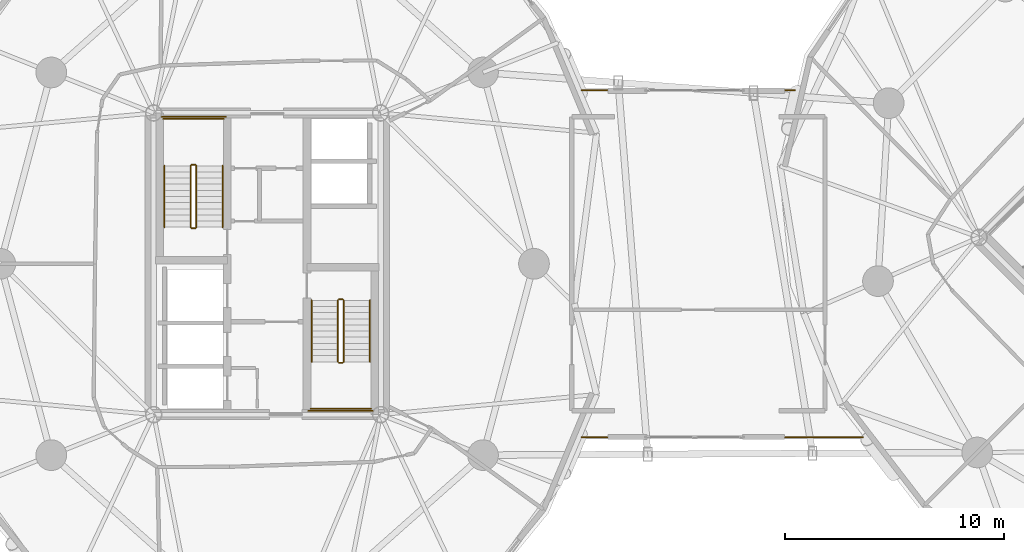
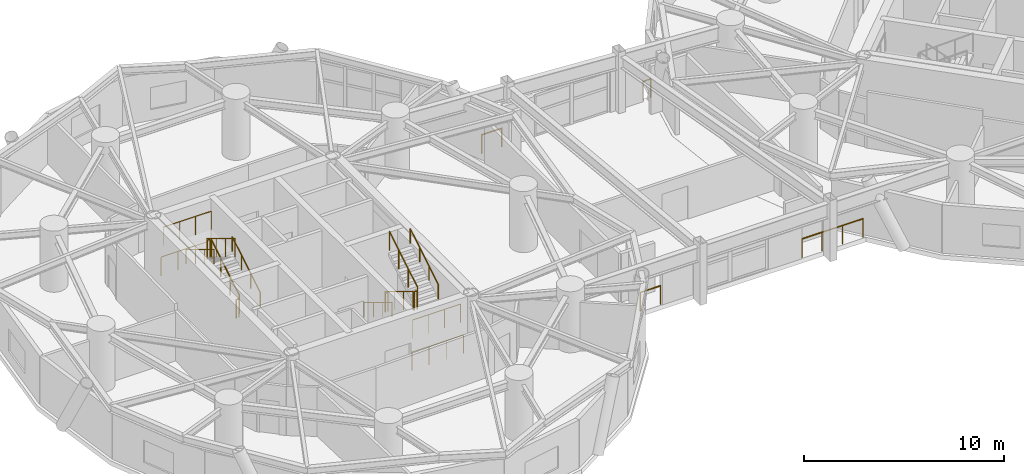
# One storey, part 18 of 19: 20 railings.
"""IFC4 building model written with IfcOpenShell, lengths in metres."""

from ifc_helpers import new_model, si_unit, direction, frame, origin, origin_2d, place, context, subcontext, project, spatial, circle, extrude, material, type_object, element, save


model = new_model("IFC4")

# Units and contexts
model_context = context("Model", 3, precision=1e-05, world=origin(), true_north=direction((0.0, 1.0)))
body_context = subcontext(model_context, "Body", "Model", "MODEL_VIEW")
ifc_project = project(units=[si_unit("LENGTHUNIT", "METRE"), si_unit("AREAUNIT", "SQUARE_METRE"), si_unit("VOLUMEUNIT", "CUBIC_METRE"), si_unit("PLANEANGLEUNIT", "RADIAN"), si_unit("MASSUNIT", "GRAM", prefix="KILO")], contexts=[model_context])

# Site, building, storey
site_placement = place(None, origin())
site = spatial("IfcSite", under=ifc_project, at=site_placement, CompositionType="ELEMENT")
building_placement = place(site_placement, origin())
building = spatial("IfcBuilding", under=site, at=building_placement, Name="Cununo Teusaquillo Station Towers", CompositionType="ELEMENT")
storey_placement = place(building_placement, frame((0.0, 0.0, 132.8798828125)))
storey = spatial("IfcBuildingStorey", under=building, at=storey_placement, Name="L42", CompositionType="ELEMENT", Elevation=132.8798828125)

# Railings
ifc_material_1 = material(Name="Steel EN 10025-2 S355J2", Category="steel")
railing_type_1 = type_object("IfcRailingType", Name="RL-INT-GUARD", PredefinedType="GUARDRAIL", material=ifc_material_1)
railing_1_placement = place(storey_placement, frame((13.27001953125, 26.169921875, 0.169189453125)))
element("IfcRailing", 1, at=railing_1_placement, inside=storey, type_object=railing_type_1, Name="L42 ST-T1-1 stair guard 1", PredefinedType="GUARDRAIL", context=body_context, shape_type="SweptSolid", body=[
    extrude(circle(Radius=0.02392578125, at=origin_2d()), frame((0.0, 0.0, 1.1259765625), z_axis=(0.0, 0.856020824003, 0.516941339877), x_axis=(-1.0, 0.0, 0.0)), (0.0, 0.0, 1.0), 3.27099609375),
    extrude(circle(Radius=0.02099609375, at=origin_2d()), origin(), (0.0, 0.0, 1.0), 1.101806640625),
    extrude(circle(Radius=0.02099609375, at=origin_2d()), frame((0.0, 0.933349609375, 0.563720703125)), (0.0, 0.0, 1.0), 1.101806640625),
    extrude(circle(Radius=0.02099609375, at=origin_2d()), frame((0.0, 1.86669921875, 1.127197265625)), (0.0, 0.0, 1.0), 1.101806640625),
    extrude(circle(Radius=0.02099609375, at=origin_2d()), frame((0.0, 2.800048828125, 1.69091796875)), (0.0, 0.0, 1.0), 1.101806640625),
])
railing_2_placement = place(storey_placement, frame((13.219970703125, 29.02001953125, 1.860107421875)))
element("IfcRailing", 2, at=railing_2_placement, inside=storey, type_object=railing_type_1, Name="L42 ST-T1-1 stair guard 2", PredefinedType="GUARDRAIL", context=body_context, shape_type="SweptSolid", body=[
    extrude(circle(Radius=0.02392578125, at=origin_2d()), frame((0.0, 0.0, 1.1259765625), z_axis=(-1.0, 0.0, 0.0), x_axis=(0.0, -1.0, 0.0)), (0.0, 0.0, 1.0), 0.159912109375),
    extrude(circle(Radius=0.02099609375, at=origin_2d()), origin(), (0.0, 0.0, 1.0), 1.101806640625),
    extrude(circle(Radius=0.02099609375, at=origin_2d()), frame((-0.159912109375, 0.0, 0.0)), (0.0, 0.0, 1.0), 1.101806640625),
])
railing_3_placement = place(storey_placement, frame((14.52001953125, 31.110107421875, 1.860107421875)))
element("IfcRailing", 3, at=railing_3_placement, inside=storey, type_object=railing_type_1, Name="L42 ST-T1-1 stair guard 3", PredefinedType="GUARDRAIL", context=body_context, shape_type="SweptSolid", body=[
    extrude(circle(Radius=0.02392578125, at=origin_2d()), frame((0.0, 0.0, 1.1259765625), z_axis=(-1.0, 0.0, 0.0), x_axis=(0.0, -1.0, 0.0)), (0.0, 0.0, 1.0), 2.760009765625),
    extrude(circle(Radius=0.02099609375, at=origin_2d()), origin(), (0.0, 0.0, 1.0), 1.101806640625),
    extrude(circle(Radius=0.02099609375, at=origin_2d()), frame((-0.919921875, 0.0, 0.0)), (0.0, 0.0, 1.0), 1.101806640625),
    extrude(circle(Radius=0.02099609375, at=origin_2d()), frame((-1.840087890625, 0.0, 0.0)), (0.0, 0.0, 1.0), 1.101806640625),
    extrude(circle(Radius=0.02099609375, at=origin_2d()), frame((-2.760009765625, 0.0, 0.0)), (0.0, 0.0, 1.0), 1.101806640625),
])
railing_4_placement = place(storey_placement, frame((13.010009765625, 28.969970703125, 2.029296875)))
element("IfcRailing", 4, at=railing_4_placement, inside=storey, type_object=railing_type_1, Name="L42 ST-T1-1 stair guard 4", PredefinedType="GUARDRAIL", context=body_context, shape_type="SweptSolid", body=[
    extrude(circle(Radius=0.02392578125, at=origin_2d()), frame((0.0, 0.0, 1.1259765625), z_axis=(0.0, -0.856020824003, 0.516941339877), x_axis=(1.0, 0.0, 0.0)), (0.0, 0.0, 1.0), 3.27099609375),
    extrude(circle(Radius=0.02099609375, at=origin_2d()), origin(), (0.0, 0.0, 1.0), 1.101806640625),
    extrude(circle(Radius=0.02099609375, at=origin_2d()), frame((0.0, -0.933349609375, 0.563720703125)), (0.0, 0.0, 1.0), 1.101806640625),
    extrude(circle(Radius=0.02099609375, at=origin_2d()), frame((0.0, -1.86669921875, 1.127197265625)), (0.0, 0.0, 1.0), 1.101806640625),
    extrude(circle(Radius=0.02099609375, at=origin_2d()), frame((0.0, -2.800048828125, 1.69091796875)), (0.0, 0.0, 1.0), 1.101806640625),
])
railing_5_placement = place(storey_placement, frame((13.219970703125, 26.1201171875, 0.0)))
element("IfcRailing", 5, at=railing_5_placement, inside=storey, type_object=railing_type_1, Name="L42 ST-T1-1 stair guard 5", PredefinedType="GUARDRAIL", context=body_context, shape_type="SweptSolid", body=[
    extrude(circle(Radius=0.02392578125, at=origin_2d()), frame((0.0, 0.0, 1.1259765625), z_axis=(-1.0, 0.0, 0.0), x_axis=(0.0, -1.0, 0.0)), (0.0, 0.0, 1.0), 0.159912109375),
    extrude(circle(Radius=0.02099609375, at=origin_2d()), origin(), (0.0, 0.0, 1.0), 1.101806640625),
    extrude(circle(Radius=0.02099609375, at=origin_2d()), frame((-0.159912109375, 0.0, 0.0)), (0.0, 0.0, 1.0), 1.101806640625),
])
railing_6_placement = place(storey_placement, frame((14.6201171875, 31.2099609375, 0.0)))
element("IfcRailing", 6, at=railing_6_placement, inside=storey, type_object=railing_type_1, Name="L42 ST-T1-1 stair guard 6", PredefinedType="GUARDRAIL", context=body_context, shape_type="SweptSolid", body=[
    extrude(circle(Radius=0.02392578125, at=origin_2d()), frame((0.0, 0.0, 1.1259765625), z_axis=(-1.0, 0.0, 0.0), x_axis=(0.0, -1.0, 0.0)), (0.0, 0.0, 1.0), 2.960205078125),
    extrude(circle(Radius=0.02099609375, at=origin_2d()), origin(), (0.0, 0.0, 1.0), 1.101806640625),
    extrude(circle(Radius=0.02099609375, at=origin_2d()), frame((-0.98681640625, 0.0, 0.0)), (0.0, 0.0, 1.0), 1.101806640625),
    extrude(circle(Radius=0.02099609375, at=origin_2d()), frame((-1.973388671875, 0.0, 0.0)), (0.0, 0.0, 1.0), 1.101806640625),
    extrude(circle(Radius=0.02099609375, at=origin_2d()), frame((-2.960205078125, 0.0, 0.0)), (0.0, 0.0, 1.0), 1.101806640625),
])
railing_7_placement = place(storey_placement, frame((19.72998046875, 22.830078125, 0.169189453125)))
element("IfcRailing", 7, at=railing_7_placement, inside=storey, type_object=railing_type_1, Name="L42 ST-T1-2 stair guard 1", PredefinedType="GUARDRAIL", context=body_context, shape_type="SweptSolid", body=[
    extrude(circle(Radius=0.02392578125, at=origin_2d()), frame((0.0, 0.0, 1.1259765625), z_axis=(0.0, -0.856020824003, 0.516941339877), x_axis=(1.0, 0.0, 0.0)), (0.0, 0.0, 1.0), 3.27099609375),
    extrude(circle(Radius=0.02099609375, at=origin_2d()), origin(), (0.0, 0.0, 1.0), 1.101806640625),
    extrude(circle(Radius=0.02099609375, at=origin_2d()), frame((0.0, -0.933349609375, 0.563720703125)), (0.0, 0.0, 1.0), 1.101806640625),
    extrude(circle(Radius=0.02099609375, at=origin_2d()), frame((0.0, -1.86669921875, 1.127197265625)), (0.0, 0.0, 1.0), 1.101806640625),
    extrude(circle(Radius=0.02099609375, at=origin_2d()), frame((0.0, -2.800048828125, 1.69091796875)), (0.0, 0.0, 1.0), 1.101806640625),
])
railing_8_placement = place(storey_placement, frame((19.780029296875, 19.97998046875, 1.860107421875)))
element("IfcRailing", 8, at=railing_8_placement, inside=storey, type_object=railing_type_1, Name="L42 ST-T1-2 stair guard 2", PredefinedType="GUARDRAIL", context=body_context, shape_type="SweptSolid", body=[
    extrude(circle(Radius=0.02392578125, at=origin_2d()), frame((0.0, 0.0, 1.1259765625), z_axis=(1.0, 0.0, 0.0), x_axis=(0.0, 1.0, 0.0)), (0.0, 0.0, 1.0), 0.159912109375),
    extrude(circle(Radius=0.02099609375, at=origin_2d()), origin(), (0.0, 0.0, 1.0), 1.101806640625),
    extrude(circle(Radius=0.02099609375, at=origin_2d()), frame((0.159912109375, 0.0, 0.0)), (0.0, 0.0, 1.0), 1.101806640625),
])
railing_9_placement = place(storey_placement, frame((18.47998046875, 17.889892578125, 1.860107421875)))
element("IfcRailing", 9, at=railing_9_placement, inside=storey, type_object=railing_type_1, Name="L42 ST-T1-2 stair guard 3", PredefinedType="GUARDRAIL", context=body_context, shape_type="SweptSolid", body=[
    extrude(circle(Radius=0.02392578125, at=origin_2d()), frame((0.0, 0.0, 1.1259765625), z_axis=(1.0, 0.0, 0.0), x_axis=(0.0, 1.0, 0.0)), (0.0, 0.0, 1.0), 2.760009765625),
    extrude(circle(Radius=0.02099609375, at=origin_2d()), origin(), (0.0, 0.0, 1.0), 1.101806640625),
    extrude(circle(Radius=0.02099609375, at=origin_2d()), frame((0.919921875, 0.0, 0.0)), (0.0, 0.0, 1.0), 1.101806640625),
    extrude(circle(Radius=0.02099609375, at=origin_2d()), frame((1.840087890625, 0.0, 0.0)), (0.0, 0.0, 1.0), 1.101806640625),
    extrude(circle(Radius=0.02099609375, at=origin_2d()), frame((2.760009765625, 0.0, 0.0)), (0.0, 0.0, 1.0), 1.101806640625),
])
railing_10_placement = place(storey_placement, frame((19.989990234375, 20.030029296875, 2.029296875)))
element("IfcRailing", 10, at=railing_10_placement, inside=storey, type_object=railing_type_1, Name="L42 ST-T1-2 stair guard 4", PredefinedType="GUARDRAIL", context=body_context, shape_type="SweptSolid", body=[
    extrude(circle(Radius=0.02392578125, at=origin_2d()), frame((0.0, 0.0, 1.1259765625), z_axis=(0.0, 0.856020824003, 0.516941339877), x_axis=(-1.0, 0.0, 0.0)), (0.0, 0.0, 1.0), 3.27099609375),
    extrude(circle(Radius=0.02099609375, at=origin_2d()), origin(), (0.0, 0.0, 1.0), 1.101806640625),
    extrude(circle(Radius=0.02099609375, at=origin_2d()), frame((0.0, 0.933349609375, 0.563720703125)), (0.0, 0.0, 1.0), 1.101806640625),
    extrude(circle(Radius=0.02099609375, at=origin_2d()), frame((0.0, 1.86669921875, 1.127197265625)), (0.0, 0.0, 1.0), 1.101806640625),
    extrude(circle(Radius=0.02099609375, at=origin_2d()), frame((0.0, 2.800048828125, 1.69091796875)), (0.0, 0.0, 1.0), 1.101806640625),
])
railing_11_placement = place(storey_placement, frame((19.780029296875, 22.8798828125, 0.0)))
element("IfcRailing", 11, at=railing_11_placement, inside=storey, type_object=railing_type_1, Name="L42 ST-T1-2 stair guard 5", PredefinedType="GUARDRAIL", context=body_context, shape_type="SweptSolid", body=[
    extrude(circle(Radius=0.02392578125, at=origin_2d()), frame((0.0, 0.0, 1.1259765625), z_axis=(1.0, 0.0, 0.0), x_axis=(0.0, 1.0, 0.0)), (0.0, 0.0, 1.0), 0.159912109375),
    extrude(circle(Radius=0.02099609375, at=origin_2d()), origin(), (0.0, 0.0, 1.0), 1.101806640625),
    extrude(circle(Radius=0.02099609375, at=origin_2d()), frame((0.159912109375, 0.0, 0.0)), (0.0, 0.0, 1.0), 1.101806640625),
])
railing_12_placement = place(storey_placement, frame((18.3798828125, 17.7900390625, 0.0)))
element("IfcRailing", 12, at=railing_12_placement, inside=storey, type_object=railing_type_1, Name="L42 ST-T1-2 stair guard 6", PredefinedType="GUARDRAIL", context=body_context, shape_type="SweptSolid", body=[
    extrude(circle(Radius=0.02392578125, at=origin_2d()), frame((0.0, 0.0, 1.1259765625), z_axis=(1.0, 0.0, 0.0), x_axis=(0.0, 1.0, 0.0)), (0.0, 0.0, 1.0), 2.960205078125),
    extrude(circle(Radius=0.02099609375, at=origin_2d()), origin(), (0.0, 0.0, 1.0), 1.101806640625),
    extrude(circle(Radius=0.02099609375, at=origin_2d()), frame((0.98681640625, 0.0, 0.0)), (0.0, 0.0, 1.0), 1.101806640625),
    extrude(circle(Radius=0.02099609375, at=origin_2d()), frame((1.973388671875, 0.0, 0.0)), (0.0, 0.0, 1.0), 1.101806640625),
    extrude(circle(Radius=0.02099609375, at=origin_2d()), frame((2.960205078125, 0.0, 0.0)), (0.0, 0.0, 1.0), 1.101806640625),
])
railing_13_placement = place(storey_placement, frame((30.840087890625, 32.419921875, 0.0)))
element("IfcRailing", 13, at=railing_13_placement, inside=storey, type_object=railing_type_1, Name="L42 Mid-Bridge Deck Edge Guardrail NW", PredefinedType="GUARDRAIL", context=body_context, shape_type="SweptSolid", body=[
    extrude(circle(Radius=0.02392578125, at=origin_2d()), frame((0.0, 0.0, 1.1259765625), z_axis=(1.0, 0.0, 0.0), x_axis=(0.0, 1.0, 0.0)), (0.0, 0.0, 1.0), 1.169921875),
    extrude(circle(Radius=0.02099609375, at=origin_2d()), origin(), (0.0, 0.0, 1.0), 1.101806640625),
    extrude(circle(Radius=0.02099609375, at=origin_2d()), frame((1.169921875, 0.0, 0.0)), (0.0, 0.0, 1.0), 1.101806640625),
])
railing_14_placement = place(storey_placement, frame((40.139892578125, 32.419921875, 0.0)))
element("IfcRailing", 14, at=railing_14_placement, inside=storey, type_object=railing_type_1, Name="L42 Mid-Bridge Deck Edge Guardrail NE", PredefinedType="GUARDRAIL", context=body_context, shape_type="SweptSolid", body=[
    extrude(circle(Radius=0.02392578125, at=origin_2d()), frame((0.0, 0.0, 1.1259765625), z_axis=(1.0, 0.0, 0.0), x_axis=(0.0, 1.0, 0.0)), (0.0, 0.0, 1.0), 0.440185546875),
    extrude(circle(Radius=0.02099609375, at=origin_2d()), origin(), (0.0, 0.0, 1.0), 1.101806640625),
    extrude(circle(Radius=0.02099609375, at=origin_2d()), frame((0.440185546875, 0.0, 0.0)), (0.0, 0.0, 1.0), 1.101806640625),
])
railing_15_placement = place(storey_placement, frame((30.840087890625, 16.580078125, 0.0)))
element("IfcRailing", 15, at=railing_15_placement, inside=storey, type_object=railing_type_1, Name="L42 Mid-Bridge Deck Edge Guardrail SW", PredefinedType="GUARDRAIL", context=body_context, shape_type="SweptSolid", body=[
    extrude(circle(Radius=0.02392578125, at=origin_2d()), frame((0.0, 0.0, 1.1259765625), z_axis=(1.0, 0.0, 0.0), x_axis=(0.0, 1.0, 0.0)), (0.0, 0.0, 1.0), 1.169921875),
    extrude(circle(Radius=0.02099609375, at=origin_2d()), origin(), (0.0, 0.0, 1.0), 1.101806640625),
    extrude(circle(Radius=0.02099609375, at=origin_2d()), frame((1.169921875, 0.0, 0.0)), (0.0, 0.0, 1.0), 1.101806640625),
])
railing_16_placement = place(storey_placement, frame((40.139892578125, 16.580078125, 0.0)))
element("IfcRailing", 16, at=railing_16_placement, inside=storey, type_object=railing_type_1, Name="L42 Mid-Bridge Deck Edge Guardrail SE", PredefinedType="GUARDRAIL", context=body_context, shape_type="SweptSolid", body=[
    extrude(circle(Radius=0.02392578125, at=origin_2d()), frame((0.0, 0.0, 1.1259765625), z_axis=(1.0, 0.0, 0.0), x_axis=(0.0, 1.0, 0.0)), (0.0, 0.0, 1.0), 3.5400390625),
    extrude(circle(Radius=0.02099609375, at=origin_2d()), origin(), (0.0, 0.0, 1.0), 1.101806640625),
    extrude(circle(Radius=0.02099609375, at=origin_2d()), frame((1.179931640625, 0.0, 0.0)), (0.0, 0.0, 1.0), 1.101806640625),
    extrude(circle(Radius=0.02099609375, at=origin_2d()), frame((2.360107421875, 0.0, 0.0)), (0.0, 0.0, 1.0), 1.101806640625),
    extrude(circle(Radius=0.02099609375, at=origin_2d()), frame((3.5400390625, 0.0, 0.0)), (0.0, 0.0, 1.0), 1.101806640625),
])
ifc_material_2 = material(Name="Steel EN 10025-2 S355J2", Category="steel")
railing_type_2 = type_object("IfcRailingType", Name="RL-INT-HRAIL", PredefinedType="HANDRAIL", material=ifc_material_2)
railing_17_placement = place(storey_placement, frame((14.469970703125, 26.169921875, 0.169189453125)))
element("IfcRailing", 17, at=railing_17_placement, inside=storey, type_object=railing_type_2, Name="L42 ST-T1-1 stair handrail 1", PredefinedType="HANDRAIL", context=body_context, shape_type="SweptSolid", body=[
    extrude(circle(Radius=0.02392578125, at=origin_2d()), frame((0.0, 0.0, 0.8759765625), z_axis=(0.0, 0.856020824003, 0.516941339877), x_axis=(-1.0, 0.0, 0.0)), (0.0, 0.0, 1.0), 3.27099609375),
    extrude(circle(Radius=0.02099609375, at=origin_2d()), origin(), (0.0, 0.0, 1.0), 0.851806640625),
    extrude(circle(Radius=0.02099609375, at=origin_2d()), frame((0.0, 0.933349609375, 0.563720703125)), (0.0, 0.0, 1.0), 0.851806640625),
    extrude(circle(Radius=0.02099609375, at=origin_2d()), frame((0.0, 1.86669921875, 1.127197265625)), (0.0, 0.0, 1.0), 0.851806640625),
    extrude(circle(Radius=0.02099609375, at=origin_2d()), frame((0.0, 2.800048828125, 1.69091796875)), (0.0, 0.0, 1.0), 0.851806640625),
])
for number, where, name in (
    (18, (11.81005859375, 28.969970703125, 2.029296875), "L42 ST-T1-1 stair handrail 2"),
    (19, (18.530029296875, 22.830078125, 0.169189453125), "L42 ST-T1-2 stair handrail 1"),
):
    element("IfcRailing", number, at=place(storey_placement, frame(where)), inside=storey, type_object=railing_type_2, Name=name, PredefinedType="HANDRAIL", context=body_context, shape_type="SweptSolid", body=[
        extrude(circle(Radius=0.02392578125, at=origin_2d()), frame((0.0, 0.0, 0.8759765625), z_axis=(0.0, -0.856020824003, 0.516941339877), x_axis=(1.0, 0.0, 0.0)), (0.0, 0.0, 1.0), 3.27099609375),
        extrude(circle(Radius=0.02099609375, at=origin_2d()), origin(), (0.0, 0.0, 1.0), 0.851806640625),
        extrude(circle(Radius=0.02099609375, at=origin_2d()), frame((0.0, -0.933349609375, 0.563720703125)), (0.0, 0.0, 1.0), 0.851806640625),
        extrude(circle(Radius=0.02099609375, at=origin_2d()), frame((0.0, -1.86669921875, 1.127197265625)), (0.0, 0.0, 1.0), 0.851806640625),
        extrude(circle(Radius=0.02099609375, at=origin_2d()), frame((0.0, -2.800048828125, 1.69091796875)), (0.0, 0.0, 1.0), 0.851806640625),
    ])
railing_18_placement = place(storey_placement, frame((21.18994140625, 20.030029296875, 2.029296875)))
element("IfcRailing", 20, at=railing_18_placement, inside=storey, type_object=railing_type_2, Name="L42 ST-T1-2 stair handrail 2", PredefinedType="HANDRAIL", context=body_context, shape_type="SweptSolid", body=[
    extrude(circle(Radius=0.02392578125, at=origin_2d()), frame((0.0, 0.0, 0.8759765625), z_axis=(0.0, 0.856020824003, 0.516941339877), x_axis=(-1.0, 0.0, 0.0)), (0.0, 0.0, 1.0), 3.27099609375),
    extrude(circle(Radius=0.02099609375, at=origin_2d()), origin(), (0.0, 0.0, 1.0), 0.851806640625),
    extrude(circle(Radius=0.02099609375, at=origin_2d()), frame((0.0, 0.933349609375, 0.563720703125)), (0.0, 0.0, 1.0), 0.851806640625),
    extrude(circle(Radius=0.02099609375, at=origin_2d()), frame((0.0, 1.86669921875, 1.127197265625)), (0.0, 0.0, 1.0), 0.851806640625),
    extrude(circle(Radius=0.02099609375, at=origin_2d()), frame((0.0, 2.800048828125, 1.69091796875)), (0.0, 0.0, 1.0), 0.851806640625),
])

save(model, "model.ifc")
